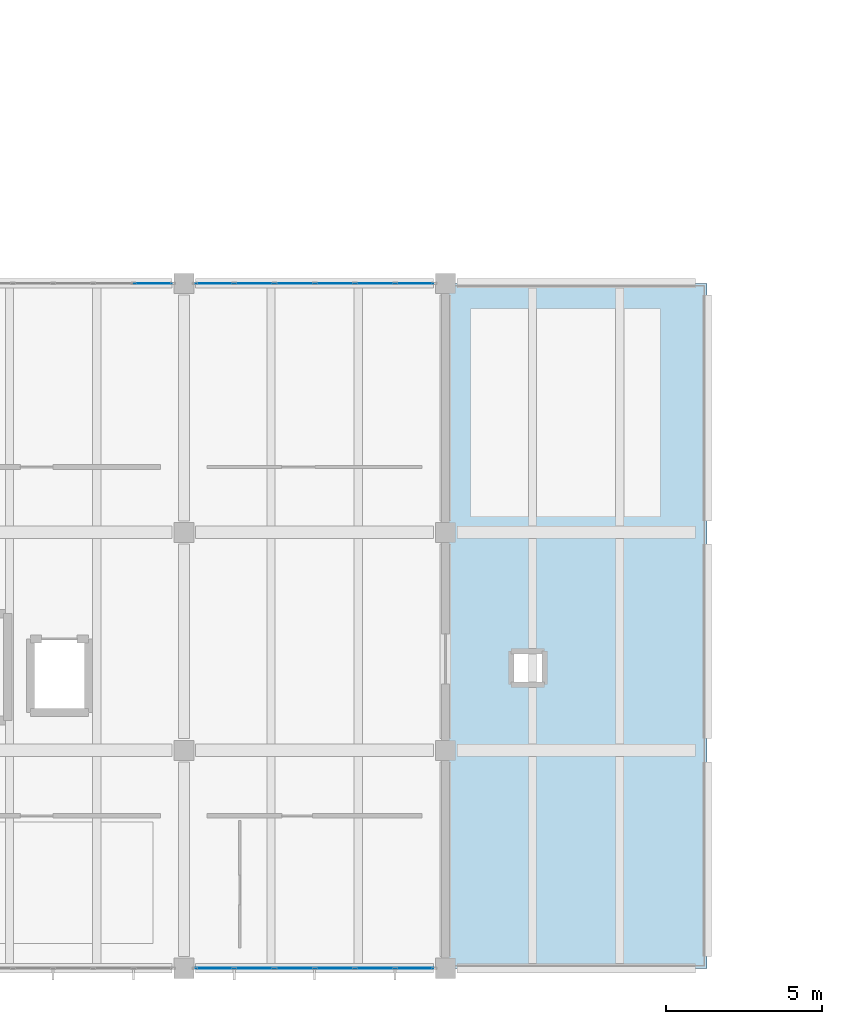
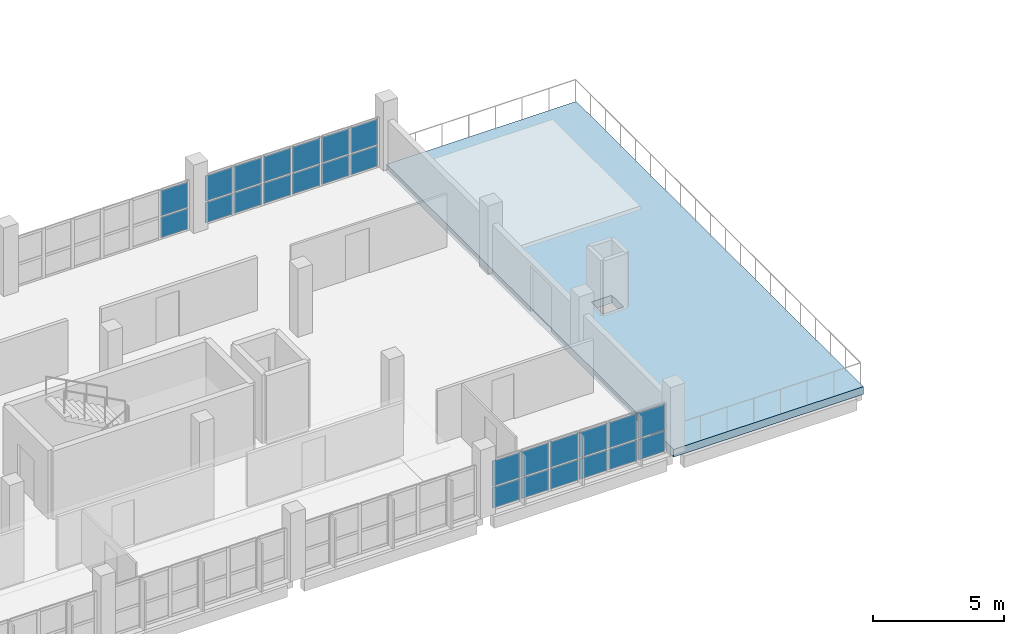
# One storey, part 24 of 33: 26 plates, 1 slab, 3 elements without a shape of their own.
"""IFC4 building model written with IfcOpenShell, lengths in metres."""

from ifc_helpers import new_model, si_unit, direction, frame, origin, origin_2d, place, context, subcontext, project, spatial, polyline, rectangle, outline, extrude, material, layer, layer_set, type_object, element, aggregate, save


model = new_model("IFC4")

# Units and contexts
model_context = context("Model", 3, precision=1e-05, world=origin(), true_north=direction((0.0, 1.0)))
body_context = subcontext(model_context, "Body", "Model", "MODEL_VIEW")
ifc_project = project(units=[si_unit("LENGTHUNIT", "METRE"), si_unit("AREAUNIT", "SQUARE_METRE"), si_unit("VOLUMEUNIT", "CUBIC_METRE"), si_unit("PLANEANGLEUNIT", "RADIAN"), si_unit("MASSUNIT", "GRAM", prefix="KILO"), si_unit("THERMODYNAMICTEMPERATUREUNIT", "KELVIN"), si_unit("POWERUNIT", "WATT")], contexts=[model_context])

# Site, building, storey
site_placement = place(None, origin())
site = spatial("IfcSite", under=ifc_project, at=site_placement, CompositionType="ELEMENT")
building_placement = place(site_placement, origin())
building = spatial("IfcBuilding", under=site, at=building_placement, Name="Mavoryth Pier Ferry Terminal", CompositionType="ELEMENT")
storey_placement = place(building_placement, frame((0.0, 0.0, 13.1201171875)))
storey = spatial("IfcBuildingStorey", under=building, at=storey_placement, Name="L03", CompositionType="ELEMENT", Elevation=13.1201171875)

# Curtain wall, plates
ifc_material_1 = material(Name="Anodised Aluminium and Solar-Control Low-E Glass", Category="aluminium")
ifc_layer_1 = layer(ifc_material_1, 0.239990234375, Name="Anodised Aluminium and Solar-Control Low-E Glass", Category="aluminium")
ifc_layer_set_1 = layer_set([ifc_layer_1], Name="Anodised Aluminium and Solar-Control Low-E Glass - CW-Operations-Mod1200")
curtain_wall_type = type_object("IfcCurtainWallType", Name="CW-Operations-Mod1200", PredefinedType="USERDEFINED", material=ifc_layer_set_1)
curtain_wall_1_placement = place(storey_placement, origin())
curtain_wall_1 = element("IfcCurtainWall", 1, at=curtain_wall_1_placement, inside=storey, type_object=curtain_wall_type, Name="Curtain Wall CW-0322-143", ObjectType="UNITISED CURTAIN WALL", PredefinedType="USERDEFINED")
ifc_material_2 = material(Name="Solar-Control Low-E Laminated Double Glazing", Category="glass")
ifc_layer_2 = layer(ifc_material_2, 0.02392578125, Name="Solar-Control Low-E Laminated Double Glazing", Category="glass")
ifc_layer_set_2 = layer_set([ifc_layer_2], Name="Solar-Control Low-E Laminated Double Glazing - Panel-LowE-DGU-24")
plate_type = type_object("IfcPlateType", Name="Panel-LowE-DGU-24", PredefinedType="CURTAIN_PANEL", material=ifc_layer_set_2)
plate_1_placement = place(storey_placement, frame((74.6142578125, 22.0, 0.059814453125), z_axis=(0.0, 0.0, 1.0), x_axis=(-1.0, 0.0, 0.0)))
plate_1 = element("IfcPlate", 2, at=plate_1_placement, type_object=plate_type, Name="CW06 panel 1.1", PredefinedType="CURTAIN_PANEL", context=body_context, shape_type="SweptSolid", body=[
    extrude(rectangle(XDim=1.20166015625, YDim=0.02392578125, at=origin_2d()), origin(), (0.0, 0.0, 1.0), 0.9599609375),
])
plate_2_placement = place(storey_placement, frame((74.6142578125, 22.0, 1.079833984375), z_axis=(0.0, 0.0, 1.0), x_axis=(-1.0, 0.0, 0.0)))
plate_2 = element("IfcPlate", 3, at=plate_2_placement, type_object=plate_type, Name="CW06 panel 1.2", PredefinedType="CURTAIN_PANEL", context=body_context, shape_type="SweptSolid", body=[
    extrude(rectangle(XDim=1.20166015625, YDim=0.02392578125, at=origin_2d()), origin(), (0.0, 0.0, 1.0), 1.18505859375),
])
aggregate(curtain_wall_1, [plate_1, plate_2])

curtain_wall_2_placement = place(storey_placement, origin())
curtain_wall_2 = element("IfcCurtainWall", 4, at=curtain_wall_2_placement, inside=storey, type_object=curtain_wall_type, Name="Curtain Wall CW-0322-144", ObjectType="UNITISED CURTAIN WALL", PredefinedType="USERDEFINED")
plate_3_placement = place(storey_placement, frame((76.5859375, 0.0, 0.059814453125), z_axis=(0.0, 0.0, 1.0), x_axis=(1.0, 0.0, 0.0)))
plate_3 = element("IfcPlate", 5, at=plate_3_placement, type_object=plate_type, Name="CW06 panel 1.1", PredefinedType="CURTAIN_PANEL", context=body_context, shape_type="SweptSolid", body=[
    extrude(rectangle(XDim=1.20166015625, YDim=0.02392578125, at=origin_2d()), origin(), (0.0, 0.0, 1.0), 0.9599609375),
])
plate_4_placement = place(storey_placement, frame((76.5859375, 0.0, 1.079833984375), z_axis=(0.0, 0.0, 1.0), x_axis=(1.0, 0.0, 0.0)))
plate_4 = element("IfcPlate", 6, at=plate_4_placement, type_object=plate_type, Name="CW06 panel 1.2", PredefinedType="CURTAIN_PANEL", context=body_context, shape_type="SweptSolid", body=[
    extrude(rectangle(XDim=1.20166015625, YDim=0.02392578125, at=origin_2d()), origin(), (0.0, 0.0, 1.0), 1.18505859375),
])
plate_5_placement = place(storey_placement, frame((77.862548828125, 0.0, 0.059814453125), z_axis=(0.0, 0.0, 1.0), x_axis=(1.0, 0.0, 0.0)))
plate_5 = element("IfcPlate", 7, at=plate_5_placement, type_object=plate_type, Name="CW06 panel 2.1", PredefinedType="CURTAIN_PANEL", context=body_context, shape_type="SweptSolid", body=[
    extrude(rectangle(XDim=1.231689453125, YDim=0.02392578125, at=origin_2d()), origin(), (0.0, 0.0, 1.0), 0.9599609375),
])
plate_6_placement = place(storey_placement, frame((77.862548828125, 0.0, 1.079833984375), z_axis=(0.0, 0.0, 1.0), x_axis=(1.0, 0.0, 0.0)))
plate_6 = element("IfcPlate", 8, at=plate_6_placement, type_object=plate_type, Name="CW06 panel 2.2", PredefinedType="CURTAIN_PANEL", context=body_context, shape_type="SweptSolid", body=[
    extrude(rectangle(XDim=1.231689453125, YDim=0.02392578125, at=origin_2d()), origin(), (0.0, 0.0, 1.0), 1.18505859375),
])
plate_7_placement = place(storey_placement, frame((79.154052734375, 0.0, 0.059814453125), z_axis=(0.0, 0.0, 1.0), x_axis=(1.0, 0.0, 0.0)))
plate_7 = element("IfcPlate", 9, at=plate_7_placement, type_object=plate_type, Name="CW06 panel 3.1", PredefinedType="CURTAIN_PANEL", context=body_context, shape_type="SweptSolid", body=[
    extrude(rectangle(XDim=1.231689453125, YDim=0.02392578125, at=origin_2d()), origin(), (0.0, 0.0, 1.0), 0.9599609375),
])
plate_8_placement = place(storey_placement, frame((79.154052734375, 0.0, 1.079833984375), z_axis=(0.0, 0.0, 1.0), x_axis=(1.0, 0.0, 0.0)))
plate_8 = element("IfcPlate", 10, at=plate_8_placement, type_object=plate_type, Name="CW06 panel 3.2", PredefinedType="CURTAIN_PANEL", context=body_context, shape_type="SweptSolid", body=[
    extrude(rectangle(XDim=1.231689453125, YDim=0.02392578125, at=origin_2d()), origin(), (0.0, 0.0, 1.0), 1.18505859375),
])
plate_9_placement = place(storey_placement, frame((80.44580078125, 0.0, 0.059814453125), z_axis=(0.0, 0.0, 1.0), x_axis=(1.0, 0.0, 0.0)))
plate_9 = element("IfcPlate", 11, at=plate_9_placement, type_object=plate_type, Name="CW06 panel 4.1", PredefinedType="CURTAIN_PANEL", context=body_context, shape_type="SweptSolid", body=[
    extrude(rectangle(XDim=1.231689453125, YDim=0.02392578125, at=origin_2d()), origin(), (0.0, 0.0, 1.0), 0.9599609375),
])
plate_10_placement = place(storey_placement, frame((80.44580078125, 0.0, 1.079833984375), z_axis=(0.0, 0.0, 1.0), x_axis=(1.0, 0.0, 0.0)))
plate_10 = element("IfcPlate", 12, at=plate_10_placement, type_object=plate_type, Name="CW06 panel 4.2", PredefinedType="CURTAIN_PANEL", context=body_context, shape_type="SweptSolid", body=[
    extrude(rectangle(XDim=1.231689453125, YDim=0.02392578125, at=origin_2d()), origin(), (0.0, 0.0, 1.0), 1.18505859375),
])
plate_11_placement = place(storey_placement, frame((81.737548828125, 0.0, 0.059814453125), z_axis=(0.0, 0.0, 1.0), x_axis=(1.0, 0.0, 0.0)))
plate_11 = element("IfcPlate", 13, at=plate_11_placement, type_object=plate_type, Name="CW06 panel 5.1", PredefinedType="CURTAIN_PANEL", context=body_context, shape_type="SweptSolid", body=[
    extrude(rectangle(XDim=1.231689453125, YDim=0.02392578125, at=origin_2d()), origin(), (0.0, 0.0, 1.0), 0.9599609375),
])
plate_12_placement = place(storey_placement, frame((81.737548828125, 0.0, 1.079833984375), z_axis=(0.0, 0.0, 1.0), x_axis=(1.0, 0.0, 0.0)))
plate_12 = element("IfcPlate", 14, at=plate_12_placement, type_object=plate_type, Name="CW06 panel 5.2", PredefinedType="CURTAIN_PANEL", context=body_context, shape_type="SweptSolid", body=[
    extrude(rectangle(XDim=1.231689453125, YDim=0.02392578125, at=origin_2d()), origin(), (0.0, 0.0, 1.0), 1.18505859375),
])
plate_13_placement = place(storey_placement, frame((83.01416015625, 0.0, 0.059814453125), z_axis=(0.0, 0.0, 1.0), x_axis=(1.0, 0.0, 0.0)))
plate_13 = element("IfcPlate", 15, at=plate_13_placement, type_object=plate_type, Name="CW06 panel 6.1", PredefinedType="CURTAIN_PANEL", context=body_context, shape_type="SweptSolid", body=[
    extrude(rectangle(XDim=1.20166015625, YDim=0.02392578125, at=origin_2d()), origin(), (0.0, 0.0, 1.0), 0.9599609375),
])
plate_14_placement = place(storey_placement, frame((83.01416015625, 0.0, 1.079833984375), z_axis=(0.0, 0.0, 1.0), x_axis=(1.0, 0.0, 0.0)))
plate_14 = element("IfcPlate", 16, at=plate_14_placement, type_object=plate_type, Name="CW06 panel 6.2", PredefinedType="CURTAIN_PANEL", context=body_context, shape_type="SweptSolid", body=[
    extrude(rectangle(XDim=1.20166015625, YDim=0.02392578125, at=origin_2d()), origin(), (0.0, 0.0, 1.0), 1.18505859375),
])
aggregate(curtain_wall_2, [plate_3, plate_4, plate_5, plate_6, plate_7, plate_8, plate_9, plate_10, plate_11, plate_12, plate_13, plate_14])

curtain_wall_3_placement = place(storey_placement, origin())
curtain_wall_3 = element("IfcCurtainWall", 17, at=curtain_wall_3_placement, inside=storey, type_object=curtain_wall_type, Name="Curtain Wall CW-0322-145", ObjectType="UNITISED CURTAIN WALL", PredefinedType="USERDEFINED")
plate_15_placement = place(storey_placement, frame((83.01416015625, 22.0, 0.059814453125), z_axis=(0.0, 0.0, 1.0), x_axis=(-1.0, 0.0, 0.0)))
plate_15 = element("IfcPlate", 18, at=plate_15_placement, type_object=plate_type, Name="CW06 panel 1.1", PredefinedType="CURTAIN_PANEL", context=body_context, shape_type="SweptSolid", body=[
    extrude(rectangle(XDim=1.20166015625, YDim=0.02392578125, at=origin_2d()), origin(), (0.0, 0.0, 1.0), 0.9599609375),
])
plate_16_placement = place(storey_placement, frame((83.01416015625, 22.0, 1.079833984375), z_axis=(0.0, 0.0, 1.0), x_axis=(-1.0, 0.0, 0.0)))
plate_16 = element("IfcPlate", 19, at=plate_16_placement, type_object=plate_type, Name="CW06 panel 1.2", PredefinedType="CURTAIN_PANEL", context=body_context, shape_type="SweptSolid", body=[
    extrude(rectangle(XDim=1.20166015625, YDim=0.02392578125, at=origin_2d()), origin(), (0.0, 0.0, 1.0), 1.18505859375),
])
plate_17_placement = place(storey_placement, frame((81.737548828125, 22.0, 0.059814453125), z_axis=(0.0, 0.0, 1.0), x_axis=(-1.0, 0.0, 0.0)))
plate_17 = element("IfcPlate", 20, at=plate_17_placement, type_object=plate_type, Name="CW06 panel 2.1", PredefinedType="CURTAIN_PANEL", context=body_context, shape_type="SweptSolid", body=[
    extrude(rectangle(XDim=1.231689453125, YDim=0.02392578125, at=origin_2d()), origin(), (0.0, 0.0, 1.0), 0.9599609375),
])
plate_18_placement = place(storey_placement, frame((81.737548828125, 22.0, 1.079833984375), z_axis=(0.0, 0.0, 1.0), x_axis=(-1.0, 0.0, 0.0)))
plate_18 = element("IfcPlate", 21, at=plate_18_placement, type_object=plate_type, Name="CW06 panel 2.2", PredefinedType="CURTAIN_PANEL", context=body_context, shape_type="SweptSolid", body=[
    extrude(rectangle(XDim=1.231689453125, YDim=0.02392578125, at=origin_2d()), origin(), (0.0, 0.0, 1.0), 1.18505859375),
])
plate_19_placement = place(storey_placement, frame((80.44580078125, 22.0, 0.059814453125), z_axis=(0.0, 0.0, 1.0), x_axis=(-1.0, 0.0, 0.0)))
plate_19 = element("IfcPlate", 22, at=plate_19_placement, type_object=plate_type, Name="CW06 panel 3.1", PredefinedType="CURTAIN_PANEL", context=body_context, shape_type="SweptSolid", body=[
    extrude(rectangle(XDim=1.231689453125, YDim=0.02392578125, at=origin_2d()), origin(), (0.0, 0.0, 1.0), 0.9599609375),
])
plate_20_placement = place(storey_placement, frame((80.44580078125, 22.0, 1.079833984375), z_axis=(0.0, 0.0, 1.0), x_axis=(-1.0, 0.0, 0.0)))
plate_20 = element("IfcPlate", 23, at=plate_20_placement, type_object=plate_type, Name="CW06 panel 3.2", PredefinedType="CURTAIN_PANEL", context=body_context, shape_type="SweptSolid", body=[
    extrude(rectangle(XDim=1.231689453125, YDim=0.02392578125, at=origin_2d()), origin(), (0.0, 0.0, 1.0), 1.18505859375),
])
plate_21_placement = place(storey_placement, frame((79.154052734375, 22.0, 0.059814453125), z_axis=(0.0, 0.0, 1.0), x_axis=(-1.0, 0.0, 0.0)))
plate_21 = element("IfcPlate", 24, at=plate_21_placement, type_object=plate_type, Name="CW06 panel 4.1", PredefinedType="CURTAIN_PANEL", context=body_context, shape_type="SweptSolid", body=[
    extrude(rectangle(XDim=1.231689453125, YDim=0.02392578125, at=origin_2d()), origin(), (0.0, 0.0, 1.0), 0.9599609375),
])
plate_22_placement = place(storey_placement, frame((79.154052734375, 22.0, 1.079833984375), z_axis=(0.0, 0.0, 1.0), x_axis=(-1.0, 0.0, 0.0)))
plate_22 = element("IfcPlate", 25, at=plate_22_placement, type_object=plate_type, Name="CW06 panel 4.2", PredefinedType="CURTAIN_PANEL", context=body_context, shape_type="SweptSolid", body=[
    extrude(rectangle(XDim=1.231689453125, YDim=0.02392578125, at=origin_2d()), origin(), (0.0, 0.0, 1.0), 1.18505859375),
])
plate_23_placement = place(storey_placement, frame((77.862548828125, 22.0, 0.059814453125), z_axis=(0.0, 0.0, 1.0), x_axis=(-1.0, 0.0, 0.0)))
plate_23 = element("IfcPlate", 26, at=plate_23_placement, type_object=plate_type, Name="CW06 panel 5.1", PredefinedType="CURTAIN_PANEL", context=body_context, shape_type="SweptSolid", body=[
    extrude(rectangle(XDim=1.231689453125, YDim=0.02392578125, at=origin_2d()), origin(), (0.0, 0.0, 1.0), 0.9599609375),
])
plate_24_placement = place(storey_placement, frame((77.862548828125, 22.0, 1.079833984375), z_axis=(0.0, 0.0, 1.0), x_axis=(-1.0, 0.0, 0.0)))
plate_24 = element("IfcPlate", 27, at=plate_24_placement, type_object=plate_type, Name="CW06 panel 5.2", PredefinedType="CURTAIN_PANEL", context=body_context, shape_type="SweptSolid", body=[
    extrude(rectangle(XDim=1.231689453125, YDim=0.02392578125, at=origin_2d()), origin(), (0.0, 0.0, 1.0), 1.18505859375),
])
plate_25_placement = place(storey_placement, frame((76.5859375, 22.0, 0.059814453125), z_axis=(0.0, 0.0, 1.0), x_axis=(-1.0, 0.0, 0.0)))
plate_25 = element("IfcPlate", 28, at=plate_25_placement, type_object=plate_type, Name="CW06 panel 6.1", PredefinedType="CURTAIN_PANEL", context=body_context, shape_type="SweptSolid", body=[
    extrude(rectangle(XDim=1.20166015625, YDim=0.02392578125, at=origin_2d()), origin(), (0.0, 0.0, 1.0), 0.9599609375),
])
plate_26_placement = place(storey_placement, frame((76.5859375, 22.0, 1.079833984375), z_axis=(0.0, 0.0, 1.0), x_axis=(-1.0, 0.0, 0.0)))
plate_26 = element("IfcPlate", 29, at=plate_26_placement, type_object=plate_type, Name="CW06 panel 6.2", PredefinedType="CURTAIN_PANEL", context=body_context, shape_type="SweptSolid", body=[
    extrude(rectangle(XDim=1.20166015625, YDim=0.02392578125, at=origin_2d()), origin(), (0.0, 0.0, 1.0), 1.18505859375),
])
aggregate(curtain_wall_3, [plate_15, plate_16, plate_17, plate_18, plate_19, plate_20, plate_21, plate_22, plate_23, plate_24, plate_25, plate_26])

# Slab
ifc_material_3 = material(Name="Concrete C35/45", Category="concrete")
ifc_layer_3 = layer(ifc_material_3, 0.360107421875, Name="Concrete C35/45", Category="concrete")
ifc_layer_set_3 = layer_set([ifc_layer_3], Name="Concrete C35/45 - Slab-Terrace-Garden-360")
slab_type = type_object("IfcSlabType", Name="Slab-Terrace-Garden-360", PredefinedType="FLOOR", material=ifc_layer_set_3)
slab_placement = place(storey_placement, frame((0.0, 0.0, -0.360107421875)))
element("IfcSlab", 30, at=slab_placement, inside=storey, type_object=slab_type, Name="Slab SLB-V5-TER-L03", PredefinedType="FLOOR", context=body_context, shape_type="SweptSolid", body=[
    extrude(outline(polyline([(84.0, 0.0), (92.39990234375, 0.0), (92.39990234375, 22.0), (84.0, 22.0), (84.0, 0.0)]), holes=[polyline([(86.199951171875, 9.199951171875), (87.10009765625, 9.199951171875), (87.10009765625, 10.10009765625), (86.199951171875, 10.10009765625), (86.199951171875, 9.199951171875)])]), origin(), (0.0, 0.0, 1.0), 0.360107421875),
])

save(model, "model.ifc")
